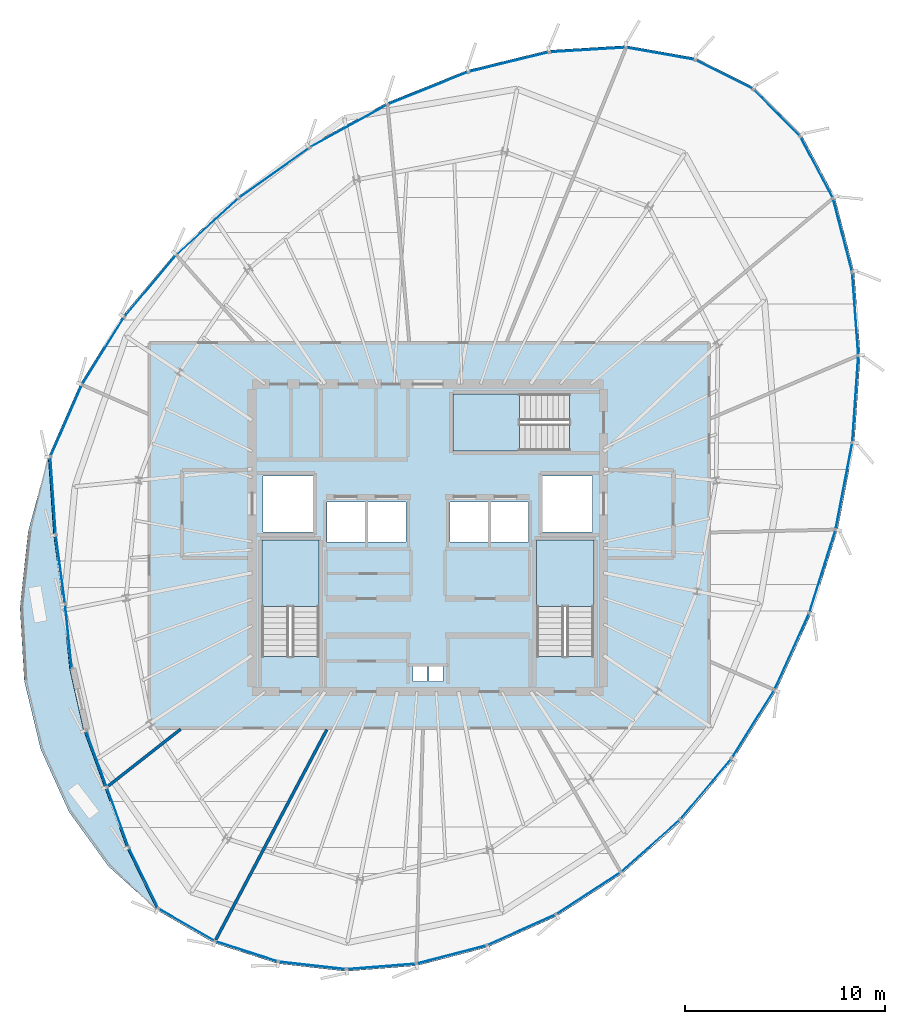
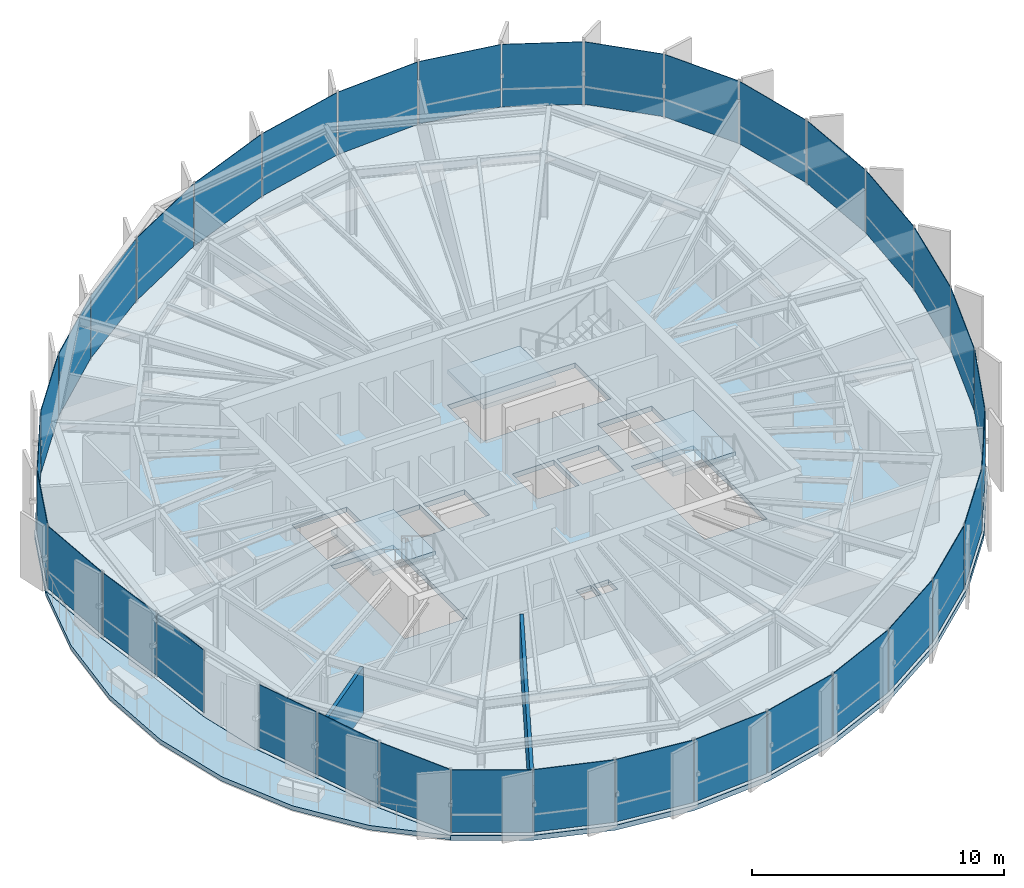
# One storey, part 25 of 32: 35 plates, 5 slabs, 2 walls, 10 elements without a shape of their own.
"""IFC4 building model written with IfcOpenShell, lengths in metres."""

from ifc_helpers import new_model, si_unit, direction, frame, frame_2d, origin, origin_2d, place, context, subcontext, project, spatial, polyline, rectangle, outline, extrude, source, transform, mapped, material, layer, layer_set, type_object, element, aggregate, save


model = new_model("IFC4")

# Units and contexts
model_context = context("Model", 3, precision=1e-05, world=origin(), true_north=direction((0.0, 1.0)))
body_context = subcontext(model_context, "Body", "Model", "MODEL_VIEW")
ifc_project = project(units=[si_unit("LENGTHUNIT", "METRE"), si_unit("AREAUNIT", "SQUARE_METRE"), si_unit("VOLUMEUNIT", "CUBIC_METRE"), si_unit("PLANEANGLEUNIT", "RADIAN"), si_unit("MASSUNIT", "GRAM", prefix="KILO"), si_unit("THERMODYNAMICTEMPERATUREUNIT", "KELVIN")], contexts=[model_context])

# Site, building, storey
site_placement = place(None, origin())
site = spatial("IfcSite", under=ifc_project, at=site_placement, CompositionType="ELEMENT")
building_placement = place(site_placement, origin())
building = spatial("IfcBuilding", under=site, at=building_placement, Name="Kethvar Cultural Tower", CompositionType="ELEMENT")
storey_placement = place(building_placement, frame((0.0, 0.0, 252.550048828125)))
storey = spatial("IfcBuildingStorey", under=building, at=storey_placement, Name="L66", CompositionType="ELEMENT", Elevation=252.550048828125)

# Stair, slab
ifc_material_1 = material(Name="Concrete C40/50", Category="concrete")
stair_type = type_object("IfcStairType", Name="ST-DOGLEG-135", PredefinedType="HALF_TURN_STAIR", material=ifc_material_1)
stair_1_placement = place(storey_placement, origin())
stair_1 = element("IfcStair", 1, at=stair_1_placement, inside=storey, type_object=stair_type, Name="L66 Core Exit Stair 1", PredefinedType="HALF_TURN_STAIR")
ifc_layer_1 = layer(ifc_material_1, 0.199951171875, Name="Concrete C40/50", Category="concrete")
ifc_layer_set_1 = layer_set([ifc_layer_1], Name="Concrete C40/50 (200 mm)")
slab_type_1 = type_object("IfcSlabType", Name="SL-STAIR-LANDING-200", PredefinedType="LANDING", material=ifc_layer_set_1)
slab_1_placement = place(storey_placement, frame((0.0, 0.0, 1.52490234375)))
slab_1 = element("IfcSlab", 2, at=slab_1_placement, type_object=slab_type_1, Name="ST-01 landing 1", PredefinedType="LANDING", context=body_context, shape_type="SweptSolid", body=[
    extrude(outline(polyline([(41.35009765625, 24.3701171875), (41.35009765625, 27.699951171875), (38.489990234375, 27.699951171875), (38.489990234375, 24.3701171875), (41.35009765625, 24.3701171875)])), origin(), (0.0, 0.0, 1.0), 0.199951171875),
])
aggregate(stair_1, [slab_1])

stair_2_placement = place(storey_placement, origin())
stair_2 = element("IfcStair", 3, at=stair_2_placement, inside=storey, type_object=stair_type, Name="L66 Core Exit Stair 2", PredefinedType="HALF_TURN_STAIR")
slab_2_placement = place(storey_placement, frame((0.0, 0.0, 1.52490234375)))
slab_2 = element("IfcSlab", 4, at=slab_2_placement, type_object=slab_type_1, Name="ST-02 landing 1", PredefinedType="LANDING", context=body_context, shape_type="SweptSolid", body=[
    extrude(outline(polyline([(55.110107421875, 24.3701171875), (55.110107421875, 27.699951171875), (52.25, 27.699951171875), (52.25, 24.3701171875), (55.110107421875, 24.3701171875)])), origin(), (0.0, 0.0, 1.0), 0.199951171875),
])
aggregate(stair_2, [slab_2])

stair_3_placement = place(storey_placement, origin())
stair_3 = element("IfcStair", 5, at=stair_3_placement, inside=storey, type_object=stair_type, Name="L66 Core Exit Stair 3", PredefinedType="HALF_TURN_STAIR")
slab_3_placement = place(storey_placement, frame((0.0, 0.0, 1.52490234375)))
slab_3 = element("IfcSlab", 6, at=slab_3_placement, type_object=slab_type_1, Name="ST-03 landing 1", PredefinedType="LANDING", context=body_context, shape_type="SweptSolid", body=[
    extrude(outline(polyline([(51.3798828125, 35.010009765625), (48.050048828125, 35.010009765625), (48.050048828125, 32.14990234375), (51.3798828125, 32.14990234375), (51.3798828125, 35.010009765625)])), origin(), (0.0, 0.0, 1.0), 0.199951171875),
])
aggregate(stair_3, [slab_3])

# Slabs
ifc_layer_2 = layer(ifc_material_1, 0.215087890625, Name="Concrete C40/50", Category="concrete")
ifc_layer_set_2 = layer_set([ifc_layer_2], Name="Concrete C40/50 (215 mm)")
slab_type_2 = type_object("IfcSlabType", Name="SL-TER-EXT", PredefinedType="FLOOR", material=ifc_layer_set_2)
slab_4_placement = place(storey_placement, frame((0.0, 0.0, -0.215087890625)))
element("IfcSlab", 7, at=slab_4_placement, inside=storey, type_object=slab_type_2, Name="L66 Spiralling Sky Terrace Deck", PredefinedType="FLOOR", context=body_context, shape_type="SweptSolid", body=[
    extrude(outline(polyline([(27.7958984375, 31.860107421875), (26.781494140625, 28.0947265625), (26.375244140625, 24.32080078125), (26.589599609375, 20.65234375), (27.418212890625, 17.200927734375), (28.83544921875, 14.07177734375), (30.798583984375, 11.35986328125), (33.248046875, 9.147216796875), (31.728271484375, 12.257568359375), (30.627685546875, 15.28076171875), (29.56494140625, 18.156982421875), (28.869873046875, 21.220703125), (28.531982421875, 24.471435546875), (28.06689453125, 27.959716796875), (27.7958984375, 31.860107421875)])), origin(), (0.0, 0.0, 1.0), 0.215087890625),
])
ifc_layer_3 = layer(ifc_material_1, 0.239990234375, Name="Concrete C40/50", Category="concrete")
ifc_layer_set_3 = layer_set([ifc_layer_3], Name="Concrete C40/50 (240 mm)")
slab_type_3 = type_object("IfcSlabType", Name="SL-TOW-240", PredefinedType="FLOOR", material=ifc_layer_set_3)
slab_5_placement = place(storey_placement, frame((0.0, 0.0, -0.239990234375)))
element("IfcSlab", 8, at=slab_5_placement, inside=storey, type_object=slab_type_3, Name="L66 Structural Floor Slab", PredefinedType="FLOOR", context=body_context, shape_type="SweptSolid", body=[
    extrude(outline(polyline([(63.17333984375, 50.336181640625), (60.206298828125, 51.8359375), (56.719970703125, 52.45166015625), (52.860107421875, 52.218994140625), (48.801513671875, 51.224609375), (44.73193359375, 49.586669921875), (40.832275390625, 47.43408203125), (37.25927734375, 44.885009765625), (34.1298828125, 42.02880859375), (31.5087890625, 38.90966796875), (29.387939453125, 35.501708984375), (27.7958984375, 31.860107421875), (28.06689453125, 27.959716796875), (28.531982421875, 24.471435546875), (28.869873046875, 21.220703125), (29.56494140625, 18.156982421875), (30.627685546875, 15.28076171875), (31.728271484375, 12.257568359375), (33.248046875, 9.147216796875), (36.109130859375, 7.50146484375), (39.295166015625, 6.472412109375), (42.708984375, 6.09130859375), (46.24755859375, 6.3701171875), (49.802490234375, 7.2998046875), (53.266357421875, 8.852294921875), (56.53369140625, 10.980712890625), (59.505615234375, 13.6201171875), (62.091064453125, 16.6904296875), (64.24755859375, 20.14697265625), (65.9970703125, 24.005615234375), (67.317138671875, 28.191650390625), (68.1591796875, 32.565673828125), (68.45947265625, 36.942138671875), (68.151123046875, 41.109375), (67.1796875, 44.852294921875), (65.516845703125, 47.977783203125), (63.17333984375, 50.336181640625)]), holes=[polyline([(38.489990234375, 21.85009765625), (38.489990234375, 27.699951171875), (41.35009765625, 27.699951171875), (41.35009765625, 21.85009765625), (38.489990234375, 21.85009765625)]), polyline([(52.25, 21.85009765625), (52.25, 27.699951171875), (55.110107421875, 27.699951171875), (55.110107421875, 21.85009765625), (52.25, 21.85009765625)]), polyline([(53.89990234375, 32.14990234375), (48.050048828125, 32.14990234375), (48.050048828125, 35.010009765625), (53.89990234375, 35.010009765625), (53.89990234375, 32.14990234375)]), polyline([(41.75, 29.60009765625), (43.64990234375, 29.60009765625), (43.64990234375, 27.60009765625), (41.75, 27.60009765625), (41.75, 29.60009765625)]), polyline([(43.800048828125, 29.60009765625), (45.699951171875, 29.60009765625), (45.699951171875, 27.60009765625), (43.800048828125, 27.60009765625), (43.800048828125, 29.60009765625)]), polyline([(47.89990234375, 29.60009765625), (49.800048828125, 29.60009765625), (49.800048828125, 27.60009765625), (47.89990234375, 27.60009765625), (47.89990234375, 29.60009765625)]), polyline([(49.949951171875, 29.60009765625), (51.85009765625, 29.60009765625), (51.85009765625, 27.60009765625), (49.949951171875, 27.60009765625), (49.949951171875, 29.60009765625)]), polyline([(38.550048828125, 30.89990234375), (41.050048828125, 30.89990234375), (41.050048828125, 28.10009765625), (38.550048828125, 28.10009765625), (38.550048828125, 30.89990234375)]), polyline([(52.550048828125, 30.89990234375), (55.050048828125, 30.89990234375), (55.050048828125, 28.10009765625), (52.550048828125, 28.10009765625), (52.550048828125, 30.89990234375)]), polyline([(46.050048828125, 21.35009765625), (46.75, 21.35009765625), (46.75, 20.60009765625), (46.050048828125, 20.60009765625), (46.050048828125, 21.35009765625)]), polyline([(46.85009765625, 21.35009765625), (47.550048828125, 21.35009765625), (47.550048828125, 20.60009765625), (46.85009765625, 20.60009765625), (46.85009765625, 21.35009765625)])]), origin(), (0.0, 0.0, 1.0), 0.239990234375),
])

# Curtain wall, plate
ifc_material_2 = material(Name="Aluminium 6063-T6", Category="aluminium")
ifc_layer_4 = layer(ifc_material_2, 0.179931640625, Name="Aluminium 6063-T6", Category="aluminium")
ifc_layer_set_4 = layer_set([ifc_layer_4], Name="Aluminium 6063-T6 (180 mm)")
curtain_wall_type = type_object("IfcCurtainWallType", Name="CW-SYS-05-Z56", PredefinedType="NOTDEFINED", material=ifc_layer_set_4)
curtain_wall_1_placement = place(storey_placement, origin())
curtain_wall_1 = element("IfcCurtainWall", 9, at=curtain_wall_1_placement, inside=storey, type_object=curtain_wall_type, Name="L66 Curtain Wall Run 01", PredefinedType="NOTDEFINED")
ifc_material_3 = material(Name="Insulated Low-E Solar Glass", Category="glass")
ifc_layer_5 = layer(ifc_material_3, 0.028076171875, Name="Insulated Low-E Solar Glass", Category="glass")
ifc_layer_set_5 = layer_set([ifc_layer_5], Name="Insulated Low-E Solar Glass (28 mm)")
plate_type = type_object("IfcPlateType", Name="CW-SYS-05-Z56-PNL", PredefinedType="CURTAIN_PANEL", material=ifc_layer_set_5)
shared_shape_1 = source(origin(), body_context, "Body", "SweptSolid", [
    extrude(rectangle(XDim=3.78759765625, YDim=0.028076171875, at=origin_2d()), origin(), (0.0, 0.0, 1.0), 3.030029296875),
])
plate_1_placement = place(storey_placement, frame((54.7958984375, 52.235595703125, 0.08984375), z_axis=(0.0, 0.0, 1.0), x_axis=(-0.998187693254, -0.060177479469, 0.0)))
plate_1 = element("IfcPlate", 10, at=plate_1_placement, type_object=plate_type, Name="CW-L66-R01 Vision Glazing Panel 3", PredefinedType="CURTAIN_PANEL", context=body_context, shape_type="MappedRepresentation", body=[
    mapped(shared_shape_1, transform((0.0, 0.0, 0.0), scale=1.0)),
])

curtain_wall_2_placement = place(storey_placement, origin())
curtain_wall_2 = element("IfcCurtainWall", 11, at=curtain_wall_2_placement, inside=storey, type_object=curtain_wall_type, Name="L66 Curtain Wall Run 07", PredefinedType="NOTDEFINED")
plate_2_placement = place(storey_placement, frame((67.568603515625, 42.95556640625, 0.08984375), z_axis=(0.0, 0.0, 1.0), x_axis=(-0.251224776808, 0.96792877399, 0.0)))
plate_2 = element("IfcPlate", 12, at=plate_2_placement, type_object=plate_type, Name="CW-L66-R07 Vision Glazing Panel 1", PredefinedType="CURTAIN_PANEL", context=body_context, shape_type="MappedRepresentation", body=[
    mapped(shared_shape_1, transform((0.0, 0.0, 0.0), scale=1.0)),
])

# Plate
shared_shape_2 = source(origin(), body_context, "Body", "SweptSolid", [
    extrude(rectangle(XDim=3.24560546875, YDim=0.028076171875, at=origin_2d()), origin(), (0.0, 0.0, 1.0), 3.030029296875),
])
plate_3_placement = place(storey_placement, frame((61.644775390625, 50.996826171875, 0.08984375), z_axis=(0.0, 0.0, 1.0), x_axis=(-0.892452001106, 0.451142356383, 0.0)))
plate_3 = element("IfcPlate", 13, at=plate_3_placement, type_object=plate_type, Name="CW-L66-R01 Vision Glazing Panel 1", PredefinedType="CURTAIN_PANEL", context=body_context, shape_type="MappedRepresentation", body=[
    mapped(shared_shape_2, transform((0.0, 0.0, 0.0), scale=1.0)),
])

plate_4_placement = place(storey_placement, frame((64.274169921875, 49.08642578125, 0.08984375), z_axis=(0.0, 0.0, 1.0), x_axis=(-0.70484471282, 0.709361636127, 0.0)))
plate_4 = element("IfcPlate", 14, at=plate_4_placement, type_object=plate_type, Name="CW-L66-R07 Vision Glazing Panel 3", PredefinedType="CURTAIN_PANEL", context=body_context, shape_type="MappedRepresentation", body=[
    mapped(shared_shape_2, transform((0.0, 0.0, 0.0), scale=1.0)),
])

shared_shape_3 = source(origin(), body_context, "Body", "SweptSolid", [
    extrude(rectangle(XDim=3.461181640625, YDim=0.028076171875, at=origin_2d()), origin(), (0.0, 0.0, 1.0), 3.030029296875),
])
plate_5_placement = place(storey_placement, frame((58.44580078125, 52.04541015625, 0.08984375), z_axis=(0.0, 0.0, 1.0), x_axis=(-0.984765293359, 0.17388880641, 0.0)))
plate_5 = element("IfcPlate", 15, at=plate_5_placement, type_object=plate_type, Name="CW-L66-R01 Vision Glazing Panel 2", PredefinedType="CURTAIN_PANEL", context=body_context, shape_type="MappedRepresentation", body=[
    mapped(shared_shape_3, transform((0.0, 0.0, 0.0), scale=1.0)),
])

plate_6_placement = place(storey_placement, frame((66.260009765625, 46.367919921875, 0.08984375), z_axis=(0.0, 0.0, 1.0), x_axis=(-0.469671885154, 0.882841050414, 0.0)))
plate_6 = element("IfcPlate", 16, at=plate_6_placement, type_object=plate_type, Name="CW-L66-R07 Vision Glazing Panel 2", PredefinedType="CURTAIN_PANEL", context=body_context, shape_type="MappedRepresentation", body=[
    mapped(shared_shape_3, transform((0.0, 0.0, 0.0), scale=1.0)),
])

aggregate(curtain_wall_2, [plate_2, plate_6, plate_4])

shared_shape_4 = source(origin(), body_context, "Body", "SweptSolid", [
    extrude(rectangle(XDim=4.099365234375, YDim=0.028076171875, at=origin_2d()), origin(), (0.0, 0.0, 1.0), 3.030029296875),
])
plate_7_placement = place(storey_placement, frame((50.8544921875, 51.62451171875, 0.08984375), z_axis=(0.0, 0.0, 1.0), x_axis=(-0.971271504235, -0.237974084853, 0.0)))
plate_7 = element("IfcPlate", 17, at=plate_7_placement, type_object=plate_type, Name="CW-L66-R01 Vision Glazing Panel 4", PredefinedType="CURTAIN_PANEL", context=body_context, shape_type="MappedRepresentation", body=[
    mapped(shared_shape_4, transform((0.0, 0.0, 0.0), scale=1.0)),
])

# Curtain wall, plate
curtain_wall_3_placement = place(storey_placement, origin())
curtain_wall_3 = element("IfcCurtainWall", 18, at=curtain_wall_3_placement, inside=storey, type_object=curtain_wall_type, Name="L66 Curtain Wall Run 06", PredefinedType="NOTDEFINED")
plate_8_placement = place(storey_placement, frame((68.20556640625, 39.018310546875, 0.08984375), z_axis=(0.0, 0.0, 1.0), x_axis=(-0.073812596851, 0.997272129635, 0.0)))
plate_8 = element("IfcPlate", 19, at=plate_8_placement, type_object=plate_type, Name="CW-L66-R06 Vision Glazing Panel 6", PredefinedType="CURTAIN_PANEL", context=body_context, shape_type="MappedRepresentation", body=[
    mapped(shared_shape_4, transform((0.0, 0.0, 0.0), scale=1.0)),
])

# Plate
shared_shape_5 = source(origin(), body_context, "Body", "SweptSolid", [
    extrude(rectangle(XDim=4.3076171875, YDim=0.028076171875, at=origin_2d()), origin(), (0.0, 0.0, 1.0), 3.030029296875),
])
plate_9_placement = place(storey_placement, frame((46.80419921875, 50.312744140625, 0.08984375), z_axis=(0.0, 0.0, 1.0), x_axis=(-0.927686452254, -0.373360209857, 0.0)))
plate_9 = element("IfcPlate", 20, at=plate_9_placement, type_object=plate_type, Name="CW-L66-R01 Vision Glazing Panel 5", PredefinedType="CURTAIN_PANEL", context=body_context, shape_type="MappedRepresentation", body=[
    mapped(shared_shape_5, transform((0.0, 0.0, 0.0), scale=1.0)),
])

plate_10_placement = place(storey_placement, frame((68.209716796875, 34.7607421875, 0.08984375), z_axis=(0.0, 0.0, 1.0), x_axis=(0.0684331937, 0.997655701131, 0.0)))
plate_10 = element("IfcPlate", 21, at=plate_10_placement, type_object=plate_type, Name="CW-L66-R06 Vision Glazing Panel 5", PredefinedType="CURTAIN_PANEL", context=body_context, shape_type="MappedRepresentation", body=[
    mapped(shared_shape_5, transform((0.0, 0.0, 0.0), scale=1.0)),
])

shared_shape_6 = source(origin(), body_context, "Body", "SweptSolid", [
    extrude(rectangle(XDim=4.375, YDim=0.028076171875, at=origin_2d()), origin(), (0.0, 0.0, 1.0), 3.030029296875),
])
plate_11_placement = place(storey_placement, frame((42.83056640625, 48.4228515625, 0.08984375), z_axis=(0.0, 0.0, 1.0), x_axis=(-0.875489830406, -0.483236543377, 0.0)))
plate_11 = element("IfcPlate", 22, at=plate_11_placement, type_object=plate_type, Name="CW-L66-R01 Vision Glazing Panel 6", PredefinedType="CURTAIN_PANEL", context=body_context, shape_type="MappedRepresentation", body=[
    mapped(shared_shape_6, transform((0.0, 0.0, 0.0), scale=1.0)),
])

aggregate(curtain_wall_1, [plate_3, plate_5, plate_1, plate_7, plate_9, plate_11])

plate_12_placement = place(storey_placement, frame((67.64013671875, 30.397705078125, 0.08984375), z_axis=(0.0, 0.0, 1.0), x_axis=(0.189044027493, 0.981968612365, 0.0)))
plate_12 = element("IfcPlate", 23, at=plate_12_placement, type_object=plate_type, Name="CW-L66-R06 Vision Glazing Panel 4", PredefinedType="CURTAIN_PANEL", context=body_context, shape_type="MappedRepresentation", body=[
    mapped(shared_shape_6, transform((0.0, 0.0, 0.0), scale=1.0)),
])

# Curtain wall, plate
curtain_wall_4_placement = place(storey_placement, origin())
curtain_wall_4 = element("IfcCurtainWall", 24, at=curtain_wall_4_placement, inside=storey, type_object=curtain_wall_type, Name="L66 Curtain Wall Run 02", PredefinedType="NOTDEFINED")
shared_shape_7 = source(origin(), body_context, "Body", "SweptSolid", [
    extrude(rectangle(XDim=4.31005859375, YDim=0.028076171875, at=origin_2d()), origin(), (0.0, 0.0, 1.0), 3.030029296875),
])
plate_13_placement = place(storey_placement, frame((39.103759765625, 46.078125, 0.08984375), z_axis=(0.0, 0.0, 1.0), x_axis=(-0.814054702821, -0.580788206504, 0.0)))
plate_13 = element("IfcPlate", 25, at=plate_13_placement, type_object=plate_type, Name="CW-L66-R02 Vision Glazing Panel 1", PredefinedType="CURTAIN_PANEL", context=body_context, shape_type="MappedRepresentation", body=[
    mapped(shared_shape_7, transform((0.0, 0.0, 0.0), scale=1.0)),
])

# Plate
plate_14_placement = place(storey_placement, frame((66.561767578125, 26.12890625, 0.08984375), z_axis=(0.0, 0.0, 1.0), x_axis=(0.300772380775, 0.953695955199, 0.0)))
plate_14 = element("IfcPlate", 26, at=plate_14_placement, type_object=plate_type, Name="CW-L66-R06 Vision Glazing Panel 3", PredefinedType="CURTAIN_PANEL", context=body_context, shape_type="MappedRepresentation", body=[
    mapped(shared_shape_7, transform((0.0, 0.0, 0.0), scale=1.0)),
])

shared_shape_8 = source(origin(), body_context, "Body", "SweptSolid", [
    extrude(rectangle(XDim=4.157470703125, YDim=0.028076171875, at=origin_2d()), origin(), (0.0, 0.0, 1.0), 3.030029296875),
])
plate_15_placement = place(storey_placement, frame((35.76220703125, 43.3828125, 0.08984375), z_axis=(0.0, 0.0, 1.0), x_axis=(-0.738596549991, -0.674147711071, 0.0)))
plate_15 = element("IfcPlate", 27, at=plate_15_placement, type_object=plate_type, Name="CW-L66-R02 Vision Glazing Panel 2", PredefinedType="CURTAIN_PANEL", context=body_context, shape_type="MappedRepresentation", body=[
    mapped(shared_shape_8, transform((0.0, 0.0, 0.0), scale=1.0)),
])

plate_16_placement = place(storey_placement, frame((65.03125, 22.11767578125, 0.08984375), z_axis=(0.0, 0.0, 1.0), x_axis=(0.412929583501, 0.910762954379, 0.0)))
plate_16 = element("IfcPlate", 28, at=plate_16_placement, type_object=plate_type, Name="CW-L66-R06 Vision Glazing Panel 2", PredefinedType="CURTAIN_PANEL", context=body_context, shape_type="MappedRepresentation", body=[
    mapped(shared_shape_8, transform((0.0, 0.0, 0.0), scale=1.0)),
])

shared_shape_9 = source(origin(), body_context, "Body", "SweptSolid", [
    extrude(rectangle(XDim=3.9951171875, YDim=0.028076171875, at=origin_2d()), origin(), (0.0, 0.0, 1.0), 3.030029296875),
])
plate_17_placement = place(storey_placement, frame((32.89599609375, 40.40478515625, 0.08984375), z_axis=(0.0, 0.0, 1.0), x_axis=(-0.643348976842, -0.765573049418, 0.0)))
plate_17 = element("IfcPlate", 29, at=plate_17_placement, type_object=plate_type, Name="CW-L66-R02 Vision Glazing Panel 3", PredefinedType="CURTAIN_PANEL", context=body_context, shape_type="MappedRepresentation", body=[
    mapped(shared_shape_9, transform((0.0, 0.0, 0.0), scale=1.0)),
])

shared_shape_10 = source(origin(), body_context, "Body", "SweptSolid", [
    extrude(rectangle(XDim=3.934814453125, YDim=0.028076171875, at=origin_2d()), origin(), (0.0, 0.0, 1.0), 3.030029296875),
])
plate_18_placement = place(storey_placement, frame((30.533203125, 37.15283203125, 0.08984375), z_axis=(0.0, 0.0, 1.0), x_axis=(-0.528408699698, -0.84899013309, 0.0)))
plate_18 = element("IfcPlate", 30, at=plate_18_placement, type_object=plate_type, Name="CW-L66-R02 Vision Glazing Panel 4", PredefinedType="CURTAIN_PANEL", context=body_context, shape_type="MappedRepresentation", body=[
    mapped(shared_shape_10, transform((0.0, 0.0, 0.0), scale=1.0)),
])

# Curtain wall, plate
curtain_wall_5_placement = place(storey_placement, origin())
curtain_wall_5 = element("IfcCurtainWall", 31, at=curtain_wall_5_placement, inside=storey, type_object=curtain_wall_type, Name="L66 Curtain Wall Run 05", PredefinedType="NOTDEFINED")
plate_19_placement = place(storey_placement, frame((60.7216796875, 15.219482421875, 0.08984375), z_axis=(0.0, 0.0, 1.0), x_axis=(0.644150330163, 0.764898916296, 0.0)))
plate_19 = element("IfcPlate", 32, at=plate_19_placement, type_object=plate_type, Name="CW-L66-R05 Vision Glazing Panel 6", PredefinedType="CURTAIN_PANEL", context=body_context, shape_type="MappedRepresentation", body=[
    mapped(shared_shape_10, transform((0.0, 0.0, 0.0), scale=1.0)),
])

# Plate
shared_shape_11 = source(origin(), body_context, "Body", "SweptSolid", [
    extrude(rectangle(XDim=3.8955078125, YDim=0.028076171875, at=origin_2d()), origin(), (0.0, 0.0, 1.0), 3.030029296875),
])
plate_20_placement = place(storey_placement, frame((28.68359375, 33.640869140625, 0.08984375), z_axis=(0.0, 0.0, 1.0), x_axis=(-0.400524954192, -0.916285851178, 0.0)))
plate_20 = element("IfcPlate", 33, at=plate_20_placement, type_object=plate_type, Name="CW-L66-R02 Vision Glazing Panel 5", PredefinedType="CURTAIN_PANEL", context=body_context, shape_type="MappedRepresentation", body=[
    mapped(shared_shape_11, transform((0.0, 0.0, 0.0), scale=1.0)),
])

plate_21_placement = place(storey_placement, frame((57.953125, 12.375244140625, 0.08984375), z_axis=(0.0, 0.0, 1.0), x_axis=(0.747670612035, 0.664069767343, 0.0)))
plate_21 = element("IfcPlate", 34, at=plate_21_placement, type_object=plate_type, Name="CW-L66-R05 Vision Glazing Panel 5", PredefinedType="CURTAIN_PANEL", context=body_context, shape_type="MappedRepresentation", body=[
    mapped(shared_shape_11, transform((0.0, 0.0, 0.0), scale=1.0)),
])

shared_shape_12 = source(origin(), body_context, "Body", "SweptSolid", [
    extrude(rectangle(XDim=3.83056640625, YDim=0.028076171875, at=origin_2d()), origin(), (0.0, 0.0, 1.0), 3.030029296875),
])
plate_22_placement = place(storey_placement, frame((28.03125, 29.916748046875, 0.08984375), z_axis=(0.0, 0.0, 1.0), x_axis=(0.069286375032, -0.99759681146, 0.0)))
plate_22 = element("IfcPlate", 35, at=plate_22_placement, type_object=plate_type, Name="CW-L66-R02 Vision Glazing Panel 6", PredefinedType="CURTAIN_PANEL", context=body_context, shape_type="MappedRepresentation", body=[
    mapped(shared_shape_12, transform((0.0, 0.0, 0.0), scale=1.0)),
])

aggregate(curtain_wall_4, [plate_13, plate_15, plate_17, plate_18, plate_20, plate_22])

# Curtain wall, plates
curtain_wall_6_placement = place(storey_placement, origin())
curtain_wall_6 = element("IfcCurtainWall", 36, at=curtain_wall_6_placement, inside=storey, type_object=curtain_wall_type, Name="L66 Curtain Wall Run 03", PredefinedType="NOTDEFINED")
shared_shape_13 = source(origin(), body_context, "Body", "SweptSolid", [
    extrude(rectangle(XDim=3.43994140625, YDim=0.028076171875, at=origin_2d()), origin(), (0.0, 0.0, 1.0), 3.030029296875),
])
plate_23_placement = place(storey_placement, frame((28.398681640625, 26.22900390625, 0.08984375), z_axis=(0.0, 0.0, 1.0), x_axis=(0.13216988988, -0.991227078025, 0.0)))
plate_23 = element("IfcPlate", 37, at=plate_23_placement, type_object=plate_type, Name="CW-L66-R03 Vision Glazing Panel 1", PredefinedType="CURTAIN_PANEL", context=body_context, shape_type="MappedRepresentation", body=[
    mapped(shared_shape_13, transform((0.0, 0.0, 0.0), scale=1.0)),
])
shared_shape_14 = source(origin(), body_context, "Body", "SweptSolid", [
    extrude(rectangle(XDim=3.18896484375, YDim=0.028076171875, at=origin_2d()), origin(), (0.0, 0.0, 1.0), 3.030029296875),
])
plate_24_placement = place(storey_placement, frame((28.80029296875, 22.8564453125, 0.08984375), z_axis=(0.0, 0.0, 1.0), x_axis=(0.103365427401, -0.994643447884, 0.0)))
plate_24 = element("IfcPlate", 38, at=plate_24_placement, type_object=plate_type, Name="CW-L66-R03 Vision Glazing Panel 2", PredefinedType="CURTAIN_PANEL", context=body_context, shape_type="MappedRepresentation", body=[
    mapped(shared_shape_14, transform((0.0, 0.0, 0.0), scale=1.0)),
])
aggregate(curtain_wall_6, [plate_23, plate_24])

curtain_wall_7_placement = place(storey_placement, origin())
curtain_wall_7 = element("IfcCurtainWall", 39, at=curtain_wall_7_placement, inside=storey, type_object=curtain_wall_type, Name="L66 Curtain Wall Run 04", PredefinedType="NOTDEFINED")
shared_shape_15 = source(origin(), body_context, "Body", "SweptSolid", [
    extrude(rectangle(XDim=2.987060546875, YDim=0.028076171875, at=origin_2d()), origin(), (0.0, 0.0, 1.0), 3.030029296875),
])
plate_25_placement = place(storey_placement, frame((30.190185546875, 16.75341796875, 0.08984375), z_axis=(0.0, 0.0, 1.0), x_axis=(0.346640987959, -0.937997881377, 0.0)))
plate_25 = element("IfcPlate", 40, at=plate_25_placement, type_object=plate_type, Name="CW-L66-R04 Vision Glazing Panel 1", PredefinedType="CURTAIN_PANEL", context=body_context, shape_type="MappedRepresentation", body=[
    mapped(shared_shape_15, transform((0.0, 0.0, 0.0), scale=1.0)),
])
shared_shape_16 = source(origin(), body_context, "Body", "SweptSolid", [
    extrude(rectangle(XDim=3.13818359375, YDim=0.028076171875, at=origin_2d()), origin(), (0.0, 0.0, 1.0), 3.030029296875),
])
plate_26_placement = place(storey_placement, frame((31.27197265625, 13.803466796875, 0.08984375), z_axis=(0.0, 0.0, 1.0), x_axis=(0.342052944578, -0.939680681458, 0.0)))
plate_26 = element("IfcPlate", 41, at=plate_26_placement, type_object=plate_type, Name="CW-L66-R04 Vision Glazing Panel 2", PredefinedType="CURTAIN_PANEL", context=body_context, shape_type="MappedRepresentation", body=[
    mapped(shared_shape_16, transform((0.0, 0.0, 0.0), scale=1.0)),
])
shared_shape_17 = source(origin(), body_context, "Body", "SweptSolid", [
    extrude(rectangle(XDim=3.382568359375, YDim=0.028076171875, at=origin_2d()), origin(), (0.0, 0.0, 1.0), 3.030029296875),
])
plate_27_placement = place(storey_placement, frame((32.577880859375, 10.746337890625, 0.08984375), z_axis=(0.0, 0.0, 1.0), x_axis=(0.438998516526, -0.898487786499, 0.0)))
plate_27 = element("IfcPlate", 42, at=plate_27_placement, type_object=plate_type, Name="CW-L66-R04 Vision Glazing Panel 3", PredefinedType="CURTAIN_PANEL", context=body_context, shape_type="MappedRepresentation", body=[
    mapped(shared_shape_17, transform((0.0, 0.0, 0.0), scale=1.0)),
])
shared_shape_18 = source(origin(), body_context, "Body", "SweptSolid", [
    extrude(rectangle(XDim=3.221435546875, YDim=0.028076171875, at=origin_2d()), origin(), (0.0, 0.0, 1.0), 3.030029296875),
])
plate_28_placement = place(storey_placement, frame((34.728515625, 8.410888671875, 0.08984375), z_axis=(0.0, 0.0, 1.0), x_axis=(0.86681843597, -0.498623905426, 0.0)))
plate_28 = element("IfcPlate", 43, at=plate_28_placement, type_object=plate_type, Name="CW-L66-R04 Vision Glazing Panel 4", PredefinedType="CURTAIN_PANEL", context=body_context, shape_type="MappedRepresentation", body=[
    mapped(shared_shape_18, transform((0.0, 0.0, 0.0), scale=1.0)),
])
shared_shape_19 = source(origin(), body_context, "Body", "SweptSolid", [
    extrude(rectangle(XDim=3.268798828125, YDim=0.028076171875, at=origin_2d()), origin(), (0.0, 0.0, 1.0), 3.030029296875),
])
plate_29_placement = place(storey_placement, frame((37.73291015625, 7.08203125, 0.08984375), z_axis=(0.0, 0.0, 1.0), x_axis=(0.951599768119, -0.307340009298, 0.0)))
plate_29 = element("IfcPlate", 44, at=plate_29_placement, type_object=plate_type, Name="CW-L66-R04 Vision Glazing Panel 5", PredefinedType="CURTAIN_PANEL", context=body_context, shape_type="MappedRepresentation", body=[
    mapped(shared_shape_19, transform((0.0, 0.0, 0.0), scale=1.0)),
])
shared_shape_20 = source(origin(), body_context, "Body", "SweptSolid", [
    extrude(rectangle(XDim=3.35595703125, YDim=0.028076171875, at=origin_2d()), origin(), (0.0, 0.0, 1.0), 3.030029296875),
])
plate_30_placement = place(storey_placement, frame((41.01318359375, 6.38134765625, 0.08984375), z_axis=(0.0, 0.0, 1.0), x_axis=(0.993830020161, -0.11091389014, 0.0)))
plate_30 = element("IfcPlate", 45, at=plate_30_placement, type_object=plate_type, Name="CW-L66-R04 Vision Glazing Panel 6", PredefinedType="CURTAIN_PANEL", context=body_context, shape_type="MappedRepresentation", body=[
    mapped(shared_shape_20, transform((0.0, 0.0, 0.0), scale=1.0)),
])
aggregate(curtain_wall_7, [plate_25, plate_26, plate_27, plate_28, plate_29, plate_30])

# Plate
shared_shape_21 = source(origin(), body_context, "Body", "SweptSolid", [
    extrude(rectangle(XDim=3.47021484375, YDim=0.028076171875, at=origin_2d()), origin(), (0.0, 0.0, 1.0), 3.030029296875),
])
plate_31_placement = place(storey_placement, frame((44.470458984375, 6.330322265625, 0.08984375), z_axis=(0.0, 0.0, 1.0), x_axis=(0.996914594387, 0.07849389466, 0.0)))
plate_31 = element("IfcPlate", 46, at=plate_31_placement, type_object=plate_type, Name="CW-L66-R05 Vision Glazing Panel 1", PredefinedType="CURTAIN_PANEL", context=body_context, shape_type="MappedRepresentation", body=[
    mapped(shared_shape_21, transform((0.0, 0.0, 0.0), scale=1.0)),
])

shared_shape_22 = source(origin(), body_context, "Body", "SweptSolid", [
    extrude(rectangle(XDim=3.595458984375, YDim=0.028076171875, at=origin_2d()), origin(), (0.0, 0.0, 1.0), 3.030029296875),
])
plate_32_placement = place(storey_placement, frame((47.999755859375, 6.931640625, 0.08984375), z_axis=(0.0, 0.0, 1.0), x_axis=(0.967457923558, 0.253031946887, 0.0)))
plate_32 = element("IfcPlate", 47, at=plate_32_placement, type_object=plate_type, Name="CW-L66-R05 Vision Glazing Panel 2", PredefinedType="CURTAIN_PANEL", context=body_context, shape_type="MappedRepresentation", body=[
    mapped(shared_shape_22, transform((0.0, 0.0, 0.0), scale=1.0)),
])

shared_shape_23 = source(origin(), body_context, "Body", "SweptSolid", [
    extrude(rectangle(XDim=3.716796875, YDim=0.028076171875, at=origin_2d()), origin(), (0.0, 0.0, 1.0), 3.030029296875),
])
plate_33_placement = place(storey_placement, frame((51.49365234375, 8.167236328125, 0.08984375), z_axis=(0.0, 0.0, 1.0), x_axis=(0.912520332814, 0.409031346233, 0.0)))
plate_33 = element("IfcPlate", 48, at=plate_33_placement, type_object=plate_type, Name="CW-L66-R05 Vision Glazing Panel 3", PredefinedType="CURTAIN_PANEL", context=body_context, shape_type="MappedRepresentation", body=[
    mapped(shared_shape_23, transform((0.0, 0.0, 0.0), scale=1.0)),
])

shared_shape_24 = source(origin(), body_context, "Body", "SweptSolid", [
    extrude(rectangle(XDim=3.8203125, YDim=0.028076171875, at=origin_2d()), origin(), (0.0, 0.0, 1.0), 3.030029296875),
])
plate_34_placement = place(storey_placement, frame((54.845458984375, 10.00048828125, 0.08984375), z_axis=(0.0, 0.0, 1.0), x_axis=(0.837918817171, 0.545794884395, 0.0)))
plate_34 = element("IfcPlate", 49, at=plate_34_placement, type_object=plate_type, Name="CW-L66-R05 Vision Glazing Panel 4", PredefinedType="CURTAIN_PANEL", context=body_context, shape_type="MappedRepresentation", body=[
    mapped(shared_shape_24, transform((0.0, 0.0, 0.0), scale=1.0)),
])

aggregate(curtain_wall_5, [plate_31, plate_32, plate_33, plate_34, plate_21, plate_19])

shared_shape_25 = source(origin(), body_context, "Body", "SweptSolid", [
    extrude(rectangle(XDim=3.994873046875, YDim=0.028076171875, at=origin_2d()), origin(), (0.0, 0.0, 1.0), 3.030029296875),
])
plate_35_placement = place(storey_placement, frame((63.08447265625, 18.4716796875, 0.08984375), z_axis=(0.0, 0.0, 1.0), x_axis=(0.529297470191, 0.848436319383, 0.0)))
plate_35 = element("IfcPlate", 50, at=plate_35_placement, type_object=plate_type, Name="CW-L66-R06 Vision Glazing Panel 1", PredefinedType="CURTAIN_PANEL", context=body_context, shape_type="MappedRepresentation", body=[
    mapped(shared_shape_25, transform((0.0, 0.0, 0.0), scale=1.0)),
])

aggregate(curtain_wall_3, [plate_35, plate_16, plate_14, plate_12, plate_10, plate_8])

# Walls
ifc_material_4 = material(Name="Gypsum Acoustic Partition")
ifc_layer_6 = layer(ifc_material_4, 0.14990234375, Name="Gypsum Acoustic Partition")
ifc_layer_set_6 = layer_set([ifc_layer_6], Name="Gypsum Acoustic Partition (150 mm)")
wall_type = type_object("IfcWallType", Name="WL-PART-150", PredefinedType="PARTITIONING", material=ifc_layer_set_6)
wall_1_placement = place(storey_placement, frame((34.425048828125, 18.219482421875, 0.0), z_axis=(0.0, 0.0, 1.0), x_axis=(-0.786874062285, -0.61711361199, 0.0)))
element("IfcWall", 51, at=wall_1_placement, inside=storey, type_object=wall_type, Name="L66 Radial Partition Wall 01", PredefinedType="PARTITIONING", context=body_context, shape_type="SweptSolid", body=[
    extrude(rectangle(XDim=4.616455078125, YDim=0.14990234375, at=frame_2d((2.30810546875, 0.0))), origin(), (0.0, 0.0, 1.0), 2.280029296875),
])
wall_2_placement = place(storey_placement, frame((41.742919921875, 18.1982421875, 0.0), z_axis=(0.0, 0.0, 1.0), x_axis=(-0.467260826369, -0.884119516887, 0.0)))
element("IfcWall", 52, at=wall_2_placement, inside=storey, type_object=wall_type, Name="L66 Radial Partition Wall 02", PredefinedType="PARTITIONING", context=body_context, shape_type="SweptSolid", body=[
    extrude(rectangle(XDim=11.9013671875, YDim=0.14990234375, at=frame_2d((5.95068359375, 0.0))), origin(), (0.0, 0.0, 1.0), 2.280029296875),
])

save(model, "model.ifc")
